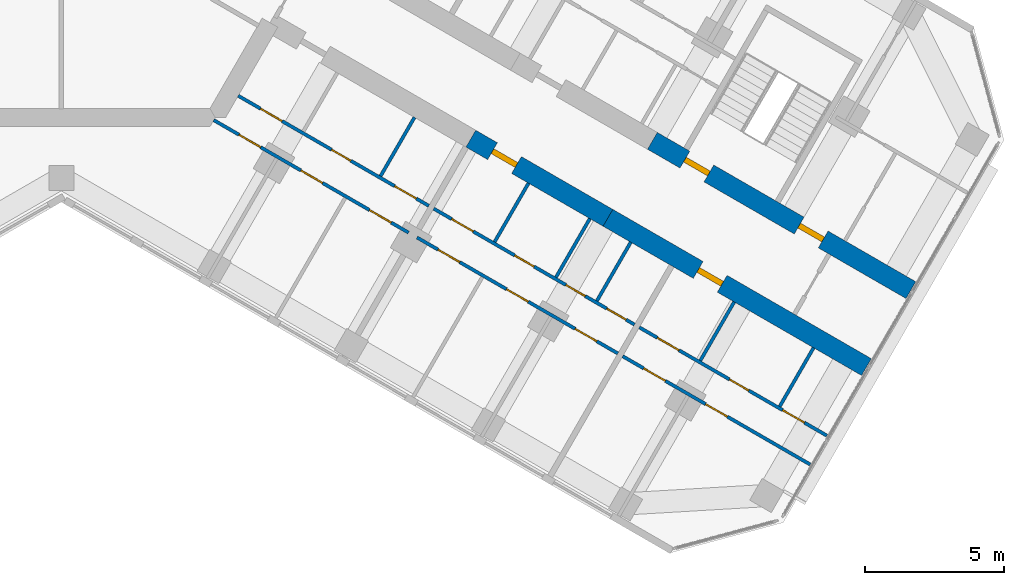
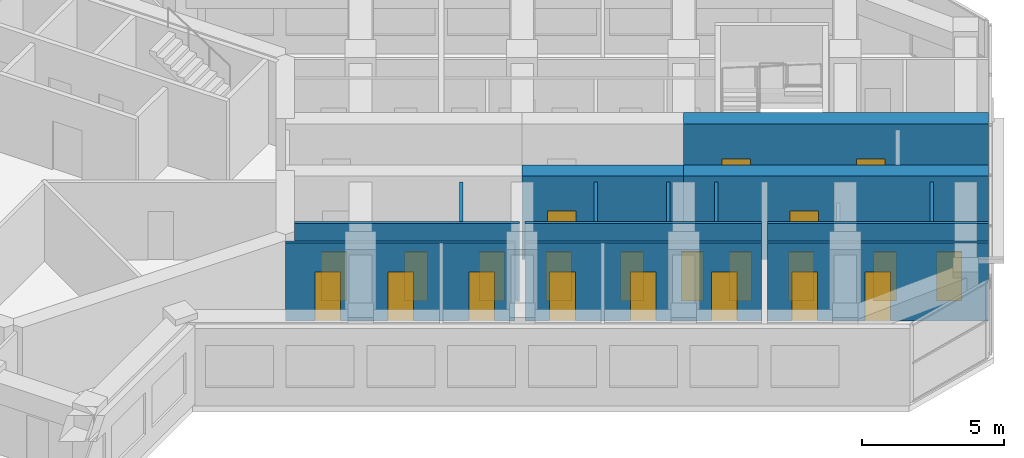
# One storey, part 11 of 16: 22 doors, 15 walls, 22 openings.
"""IFC4 building model written with IfcOpenShell, lengths in metres."""

from ifc_helpers import new_model, si_unit, direction, frame, frame_2d, origin, place, context, subcontext, project, spatial, rectangle, extrude, material, layer, layer_set, type_object, element, fill, save


model = new_model("IFC4")

# Units and contexts
model_context = context("Model", 3, precision=1e-05, world=origin(), true_north=direction((0.0, 1.0)))
body_context = subcontext(model_context, "Body", "Model", "MODEL_VIEW")
ifc_project = project(units=[si_unit("LENGTHUNIT", "METRE"), si_unit("AREAUNIT", "SQUARE_METRE"), si_unit("VOLUMEUNIT", "CUBIC_METRE"), si_unit("PLANEANGLEUNIT", "RADIAN"), si_unit("MASSUNIT", "GRAM", prefix="KILO")], contexts=[model_context])

# Site, building, storey
site_placement = place(None, origin())
site = spatial("IfcSite", under=ifc_project, at=site_placement, CompositionType="ELEMENT")
building_placement = place(site_placement, origin())
building = spatial("IfcBuilding", under=site, at=building_placement, Name="Kosmar Iwan School Tower", CompositionType="ELEMENT")
storey_placement = place(building_placement, frame((0.0, 0.0, 204.60009765625)))
storey = spatial("IfcBuildingStorey", under=building, at=storey_placement, Name="L51", CompositionType="ELEMENT", Elevation=204.60009765625)

# Wall, openings, doors
ifc_material_1 = material(Name="Concrete C50/60", Category="concrete")
ifc_layer_1 = layer(ifc_material_1, 0.699951171875)
ifc_layer_set_1 = layer_set([ifc_layer_1], Name="Corridor buttress wall 700")
wall_type_1 = type_object("IfcWallType", Name="Corridor buttress wall 700", PredefinedType="SHEAR", material=ifc_layer_set_1)
wall_1_placement = place(storey_placement, frame((21.281494140625, -10.439453125, 0.0), z_axis=(0.0, 0.0, 1.0), x_axis=(0.866032345022, -0.499987977232, 0.0)))
wall_1 = element("IfcWall", 1, at=wall_1_placement, inside=storey, type_object=wall_type_1, Name="Corridor wall CL bay 3", PredefinedType="SHEAR", context=body_context, shape_type="SweptSolid", body=[
    extrude(rectangle(XDim=10.744873046875, YDim=0.699951171875, at=frame_2d((5.37255859375, 0.0))), origin(), (0.0, 0.0, 1.0), 3.599853515625),
])
opening_1_placement = place(wall_1_placement, frame((6.10009765625, 0.0, 0.0)))
opening_1 = element("IfcOpeningElement", 2, at=opening_1_placement, cuts=wall_1, Name="Opening D1", PredefinedType="OPENING", context=body_context, shape_type="SweptSolid", body=[
    extrude(rectangle(XDim=1.0, YDim=2.10009765625, at=frame_2d((0.5, 1.050048828125))), frame((0.0, 0.362060546875, 0.0), z_axis=(0.0, -1.0, 0.0), x_axis=(1.0, 0.0, 0.0)), (0.0, 0.0, 1.0), 0.723876953125),
])
opening_2_placement = place(wall_1_placement, frame((1.35009765625, 0.0, 0.0)))
opening_2 = element("IfcOpeningElement", 3, at=opening_2_placement, cuts=wall_1, Name="Opening D6", PredefinedType="OPENING", context=body_context, shape_type="SweptSolid", body=[
    extrude(rectangle(XDim=1.0, YDim=2.10009765625, at=frame_2d((0.5, 1.050048828125))), frame((0.0, 0.362060546875, 0.0), z_axis=(0.0, -1.0, 0.0), x_axis=(1.0, 0.0, 0.0)), (0.0, 0.0, 1.0), 0.723876953125),
])
ifc_material_2 = material(Name="Timber fire door in steel frame", Category="steel")
door_type_1 = type_object("IfcDoorType", Name="Flat entrance door 1000x2100", OperationType="SINGLE_SWING_LEFT", PredefinedType="DOOR", material=ifc_material_2)
door_1_placement = place(opening_1_placement, origin())
door_1 = element("IfcDoor", 4, at=door_1_placement, inside=storey, type_object=door_type_1, Name="Flat L51-CL3 entrance door", OperationType="SINGLE_SWING_RIGHT", OverallHeight=2.10009765625, OverallWidth=1.0, PredefinedType="DOOR", context=body_context, shape_type="SweptSolid", body=[
    extrude(rectangle(XDim=1.0, YDim=2.10009765625, at=frame_2d((0.5, 1.050048828125))), frame((0.0, 0.10009765625, 0.0), z_axis=(0.0, -1.0, 0.0), x_axis=(1.0, 0.0, 0.0)), (0.0, 0.0, 1.0), 0.199951171875),
])
fill(opening_1, door_1)
ifc_material_3 = material(Name="Steel fire door", Category="steel")
door_type_2 = type_object("IfcDoorType", Name="Stair door 1000x2100", OperationType="SINGLE_SWING_LEFT", PredefinedType="DOOR", material=ifc_material_3)
door_2_placement = place(opening_2_placement, origin())
door_2 = element("IfcDoor", 5, at=door_2_placement, inside=storey, type_object=door_type_2, Name="Stair WS3 door L51", OperationType="SINGLE_SWING_LEFT", OverallHeight=2.10009765625, OverallWidth=1.0, PredefinedType="DOOR", context=body_context, shape_type="SweptSolid", body=[
    extrude(rectangle(XDim=1.0, YDim=2.10009765625, at=frame_2d((0.5, 1.050048828125))), frame((0.0, 0.10009765625, 0.0), z_axis=(0.0, -1.0, 0.0), x_axis=(1.0, 0.0, 0.0)), (0.0, 0.0, 1.0), 0.199951171875),
])
fill(opening_2, door_2)

# Wall, opening, door
wall_2_placement = place(storey_placement, frame((14.7451171875, -10.360595703125, 0.0), z_axis=(0.0, 0.0, 1.0), x_axis=(0.866015111908, -0.50001782563, 0.0)))
wall_2 = element("IfcWall", 6, at=wall_2_placement, inside=storey, type_object=wall_type_1, Name="Corridor wall CR bay 2", PredefinedType="SHEAR", context=body_context, shape_type="SweptSolid", body=[
    extrude(rectangle(XDim=5.699951171875, YDim=0.699951171875, at=frame_2d((2.85009765625, 0.0))), origin(), (0.0, 0.0, 1.0), 3.599853515625),
])
opening_3_placement = place(wall_2_placement, frame((0.89990234375, 0.0, 0.0)))
opening_3 = element("IfcOpeningElement", 7, at=opening_3_placement, cuts=wall_2, Name="Opening D1", PredefinedType="OPENING", context=body_context, shape_type="SweptSolid", body=[
    extrude(rectangle(XDim=1.0, YDim=2.10009765625, at=frame_2d((0.5, 1.050048828125))), frame((0.0, 0.362060546875, 0.0), z_axis=(0.0, -1.0, 0.0), x_axis=(1.0, 0.0, 0.0)), (0.0, 0.0, 1.0), 0.723876953125),
])
door_3_placement = place(opening_3_placement, origin())
door_3 = element("IfcDoor", 8, at=door_3_placement, inside=storey, type_object=door_type_1, Name="Flat L51-CR2 entrance door", OperationType="SINGLE_SWING_LEFT", OverallHeight=2.10009765625, OverallWidth=1.0, PredefinedType="DOOR", context=body_context, shape_type="SweptSolid", body=[
    extrude(rectangle(XDim=1.0, YDim=2.10009765625, at=frame_2d((0.5, 1.050048828125))), frame((0.0, 0.10009765625, 0.0), z_axis=(0.0, -1.0, 0.0), x_axis=(1.0, 0.0, 0.0)), (0.0, 0.0, 1.0), 0.199951171875),
])
fill(opening_3, door_3)

wall_3_placement = place(storey_placement, frame((19.681396484375, -13.210693359375, 0.0), z_axis=(0.0, 0.0, 1.0), x_axis=(0.866028186671, -0.499995179869, 0.0)))
wall_3 = element("IfcWall", 9, at=wall_3_placement, inside=storey, type_object=wall_type_1, Name="Corridor wall CR bay 3", PredefinedType="SHEAR", context=body_context, shape_type="SweptSolid", body=[
    extrude(rectangle(XDim=10.7451171875, YDim=0.699951171875, at=frame_2d((5.37255859375, 0.0))), origin(), (0.0, 0.0, 1.0), 3.599853515625),
])
opening_4_placement = place(wall_3_placement, frame((3.75, 0.0, 0.0)))
opening_4 = element("IfcOpeningElement", 10, at=opening_4_placement, cuts=wall_3, Name="Opening D1", PredefinedType="OPENING", context=body_context, shape_type="SweptSolid", body=[
    extrude(rectangle(XDim=1.0, YDim=2.10009765625, at=frame_2d((0.5, 1.050048828125))), frame((0.0, 0.362060546875, 0.0), z_axis=(0.0, -1.0, 0.0), x_axis=(1.0, 0.0, 0.0)), (0.0, 0.0, 1.0), 0.723876953125),
])
door_4_placement = place(opening_4_placement, origin())
door_4 = element("IfcDoor", 11, at=door_4_placement, inside=storey, type_object=door_type_1, Name="Flat L51-CR3 entrance door", OperationType="SINGLE_SWING_RIGHT", OverallHeight=2.10009765625, OverallWidth=1.0, PredefinedType="DOOR", context=body_context, shape_type="SweptSolid", body=[
    extrude(rectangle(XDim=1.0, YDim=2.10009765625, at=frame_2d((0.5, 1.050048828125))), frame((0.0, 0.10009765625, 0.0), z_axis=(0.0, -1.0, 0.0), x_axis=(1.0, 0.0, 0.0)), (0.0, 0.0, 1.0), 0.199951171875),
])
fill(opening_4, door_4)

# Wall, openings, doors
ifc_material_4 = material(Name="Gypsum board on steel studs", Category="steel")
ifc_layer_2 = layer(ifc_material_4, 0.1201171875)
ifc_layer_set_2 = layer_set([ifc_layer_2], Name="Dwelling partition 120")
wall_type_2 = type_object("IfcWallType", Name="Dwelling partition 120", PredefinedType="PARTITIONING", material=ifc_layer_set_2)
wall_4_placement = place(storey_placement, frame((6.370361328125, -8.81640625, 0.0), z_axis=(0.0, 0.0, 1.0), x_axis=(0.866031683564, -0.499989122945, 0.0)))
wall_4 = element("IfcWall", 12, at=wall_4_placement, inside=storey, type_object=wall_type_2, Name="Partition L51-CR1-W1", PredefinedType="PARTITIONING", context=body_context, shape_type="SweptSolid", body=[
    extrude(rectangle(XDim=7.925048828125, YDim=0.1201171875, at=frame_2d((3.96240234375, 0.0))), origin(), (0.0, 0.0, 1.0), 3.349853515625),
])
opening_5_placement = place(wall_4_placement, frame((0.925048828125, 0.0, 0.0)))
opening_5 = element("IfcOpeningElement", 13, at=opening_5_placement, cuts=wall_4, Name="Opening D2", PredefinedType="OPENING", context=body_context, shape_type="SweptSolid", body=[
    extrude(rectangle(XDim=0.89990234375, YDim=2.10009765625, at=frame_2d((0.449951171875, 1.050048828125))), frame((0.0, 0.072021484375, 0.0), z_axis=(0.0, -1.0, 0.0), x_axis=(1.0, 0.0, 0.0)), (0.0, 0.0, 1.0), 0.14404296875),
])
opening_6_placement = place(wall_4_placement, frame((3.880126953125, 0.0, 0.0)))
opening_6 = element("IfcOpeningElement", 14, at=opening_6_placement, cuts=wall_4, Name="Opening D3", PredefinedType="OPENING", context=body_context, shape_type="SweptSolid", body=[
    extrude(rectangle(XDim=0.800048828125, YDim=2.10009765625, at=frame_2d((0.39990234375, 1.050048828125))), frame((0.0, 0.072021484375, 0.0), z_axis=(0.0, -1.0, 0.0), x_axis=(1.0, 0.0, 0.0)), (0.0, 0.0, 1.0), 0.14404296875),
])
opening_7_placement = place(wall_4_placement, frame((6.505126953125, 0.0, 0.0)))
opening_7 = element("IfcOpeningElement", 15, at=opening_7_placement, cuts=wall_4, Name="Opening D2", PredefinedType="OPENING", context=body_context, shape_type="SweptSolid", body=[
    extrude(rectangle(XDim=0.89990234375, YDim=2.10009765625, at=frame_2d((0.449951171875, 1.050048828125))), frame((0.0, 0.072021484375, 0.0), z_axis=(0.0, -1.0, 0.0), x_axis=(1.0, 0.0, 0.0)), (0.0, 0.0, 1.0), 0.14404296875),
])
ifc_material_5 = material(Name="Timber door in timber frame", Category="wood")
door_type_3 = type_object("IfcDoorType", Name="Internal door 900x2100", OperationType="SINGLE_SWING_LEFT", PredefinedType="DOOR", material=ifc_material_5)
door_5_placement = place(opening_5_placement, origin())
door_5 = element("IfcDoor", 16, at=door_5_placement, inside=storey, type_object=door_type_3, Name="Entrance hall door L51-CR1-S1", OperationType="SINGLE_SWING_RIGHT", OverallHeight=2.10009765625, OverallWidth=0.89990234375, PredefinedType="DOOR", context=body_context, shape_type="SweptSolid", body=[
    extrude(rectangle(XDim=0.89990234375, YDim=2.10009765625, at=frame_2d((0.449951171875, 1.050048828125))), frame((0.0, 0.02490234375, 0.0), z_axis=(0.0, -1.0, 0.0), x_axis=(1.0, 0.0, 0.0)), (0.0, 0.0, 1.0), 0.050048828125),
])
fill(opening_5, door_5)
door_6_placement = place(opening_7_placement, origin())
door_6 = element("IfcDoor", 17, at=door_6_placement, inside=storey, type_object=door_type_3, Name="Pantry door L51-CR1-S3", OperationType="SINGLE_SWING_RIGHT", OverallHeight=2.10009765625, OverallWidth=0.89990234375, PredefinedType="DOOR", context=body_context, shape_type="SweptSolid", body=[
    extrude(rectangle(XDim=0.89990234375, YDim=2.10009765625, at=frame_2d((0.449951171875, 1.050048828125))), frame((0.0, 0.02490234375, 0.0), z_axis=(0.0, -1.0, 0.0), x_axis=(1.0, 0.0, 0.0)), (0.0, 0.0, 1.0), 0.050048828125),
])
fill(opening_7, door_6)
ifc_material_6 = material(Name="Timber door in timber frame", Category="wood")
door_type_4 = type_object("IfcDoorType", Name="Sanitary room door 800x2100", OperationType="SINGLE_SWING_LEFT", PredefinedType="DOOR", material=ifc_material_6)
door_7_placement = place(opening_6_placement, origin())
door_7 = element("IfcDoor", 18, at=door_7_placement, inside=storey, type_object=door_type_4, Name="Bathroom door L51-CR1-S2", OperationType="SINGLE_SWING_LEFT", OverallHeight=2.10009765625, OverallWidth=0.800048828125, PredefinedType="DOOR", context=body_context, shape_type="SweptSolid", body=[
    extrude(rectangle(XDim=0.800048828125, YDim=2.10009765625, at=frame_2d((0.39990234375, 1.050048828125))), frame((0.0, 0.02490234375, 0.0), z_axis=(0.0, -1.0, 0.0), x_axis=(1.0, 0.0, 0.0)), (0.0, 0.0, 1.0), 0.050048828125),
])
fill(opening_6, door_7)

wall_5_placement = place(storey_placement, frame((5.48876953125, -9.693115234375, 0.0), z_axis=(0.0, 0.0, 1.0), x_axis=(0.866025472755, -0.499999880539, 0.0)))
wall_5 = element("IfcWall", 19, at=wall_5_placement, inside=storey, type_object=wall_type_2, Name="Partition L51-CR1-W2", PredefinedType="PARTITIONING", context=body_context, shape_type="SweptSolid", body=[
    extrude(rectangle(XDim=8.10009765625, YDim=0.1201171875, at=frame_2d((4.050048828125, 0.0))), origin(), (0.0, 0.0, 1.0), 3.349853515625),
])
opening_8_placement = place(wall_5_placement, frame((1.050048828125, 0.0, 0.0)))
opening_8 = element("IfcOpeningElement", 20, at=opening_8_placement, cuts=wall_5, Name="Opening D2", PredefinedType="OPENING", context=body_context, shape_type="SweptSolid", body=[
    extrude(rectangle(XDim=0.89990234375, YDim=2.10009765625, at=frame_2d((0.449951171875, 1.050048828125))), frame((0.0, 0.072021484375, 0.0), z_axis=(0.0, -1.0, 0.0), x_axis=(1.0, 0.0, 0.0)), (0.0, 0.0, 1.0), 0.14404296875),
])
opening_9_placement = place(wall_5_placement, frame((3.625, 0.0, 0.0)))
opening_9 = element("IfcOpeningElement", 21, at=opening_9_placement, cuts=wall_5, Name="Opening D2", PredefinedType="OPENING", context=body_context, shape_type="SweptSolid", body=[
    extrude(rectangle(XDim=0.89990234375, YDim=2.10009765625, at=frame_2d((0.449951171875, 1.050048828125))), frame((0.0, 0.072021484375, 0.0), z_axis=(0.0, -1.0, 0.0), x_axis=(1.0, 0.0, 0.0)), (0.0, 0.0, 1.0), 0.14404296875),
])
opening_10_placement = place(wall_5_placement, frame((6.47509765625, 0.0, 0.0)))
opening_10 = element("IfcOpeningElement", 22, at=opening_10_placement, cuts=wall_5, Name="Opening D2", PredefinedType="OPENING", context=body_context, shape_type="SweptSolid", body=[
    extrude(rectangle(XDim=0.89990234375, YDim=2.10009765625, at=frame_2d((0.449951171875, 1.050048828125))), frame((0.0, 0.072021484375, 0.0), z_axis=(0.0, -1.0, 0.0), x_axis=(1.0, 0.0, 0.0)), (0.0, 0.0, 1.0), 0.14404296875),
])
door_8_placement = place(opening_8_placement, origin())
door_8 = element("IfcDoor", 23, at=door_8_placement, inside=storey, type_object=door_type_3, Name="Living room and kitchen door L51-CR1-F1", OperationType="SINGLE_SWING_LEFT", OverallHeight=2.10009765625, OverallWidth=0.89990234375, PredefinedType="DOOR", context=body_context, shape_type="SweptSolid", body=[
    extrude(rectangle(XDim=0.89990234375, YDim=2.10009765625, at=frame_2d((0.449951171875, 1.050048828125))), frame((0.0, 0.02490234375, 0.0), z_axis=(0.0, -1.0, 0.0), x_axis=(1.0, 0.0, 0.0)), (0.0, 0.0, 1.0), 0.050048828125),
])
fill(opening_8, door_8)
door_9_placement = place(opening_9_placement, origin())
door_9 = element("IfcDoor", 24, at=door_9_placement, inside=storey, type_object=door_type_3, Name="Study door L51-CR1-F2", OperationType="SINGLE_SWING_LEFT", OverallHeight=2.10009765625, OverallWidth=0.89990234375, PredefinedType="DOOR", context=body_context, shape_type="SweptSolid", body=[
    extrude(rectangle(XDim=0.89990234375, YDim=2.10009765625, at=frame_2d((0.449951171875, 1.050048828125))), frame((0.0, 0.02490234375, 0.0), z_axis=(0.0, -1.0, 0.0), x_axis=(1.0, 0.0, 0.0)), (0.0, 0.0, 1.0), 0.050048828125),
])
fill(opening_9, door_9)
door_10_placement = place(opening_10_placement, origin())
door_10 = element("IfcDoor", 25, at=door_10_placement, inside=storey, type_object=door_type_3, Name="Bedroom 1 door L51-CR1-F3", OperationType="SINGLE_SWING_RIGHT", OverallHeight=2.10009765625, OverallWidth=0.89990234375, PredefinedType="DOOR", context=body_context, shape_type="SweptSolid", body=[
    extrude(rectangle(XDim=0.89990234375, YDim=2.10009765625, at=frame_2d((0.449951171875, 1.050048828125))), frame((0.0, 0.02490234375, 0.0), z_axis=(0.0, -1.0, 0.0), x_axis=(1.0, 0.0, 0.0)), (0.0, 0.0, 1.0), 0.050048828125),
])
fill(opening_10, door_10)

# Wall
wall_6_placement = place(storey_placement, frame((12.716796875, -9.59375, 0.0), z_axis=(0.0, 0.0, 1.0), x_axis=(-0.500002508028, -0.866023955769, 0.0)))
element("IfcWall", 26, at=wall_6_placement, inside=storey, type_object=wall_type_2, Name="Partition L51-CR1-Y2", PredefinedType="PARTITIONING", context=body_context, shape_type="SweptSolid", body=[
    extrude(rectangle(XDim=2.43994140625, YDim=0.1201171875, at=frame_2d((1.219970703125, 0.0))), origin(), (0.0, 0.0, 1.0), 3.349853515625),
])

# Wall, openings, doors
wall_7_placement = place(storey_placement, frame((13.40673828125, -12.87890625, 0.0), z_axis=(0.0, 0.0, 1.0), x_axis=(0.866039519639, -0.499975549825, 0.0)))
wall_7 = element("IfcWall", 27, at=wall_7_placement, inside=storey, type_object=wall_type_2, Name="Partition L51-CR2-W1", PredefinedType="PARTITIONING", context=body_context, shape_type="SweptSolid", body=[
    extrude(rectangle(XDim=8.35009765625, YDim=0.1201171875, at=frame_2d((4.175048828125, 0.0))), origin(), (0.0, 0.0, 1.0), 3.349853515625),
])
opening_11_placement = place(wall_7_placement, frame((0.75, 0.0, 0.0)))
opening_11 = element("IfcOpeningElement", 28, at=opening_11_placement, cuts=wall_7, Name="Opening D2", PredefinedType="OPENING", context=body_context, shape_type="SweptSolid", body=[
    extrude(rectangle(XDim=0.89990234375, YDim=2.10009765625, at=frame_2d((0.449951171875, 1.050048828125))), frame((0.0, 0.072021484375, 0.0), z_axis=(0.0, -1.0, 0.0), x_axis=(1.0, 0.0, 0.0)), (0.0, 0.0, 1.0), 0.14404296875),
])
opening_12_placement = place(wall_7_placement, frame((3.375, 0.0, 0.0)))
opening_12 = element("IfcOpeningElement", 29, at=opening_12_placement, cuts=wall_7, Name="Opening D3", PredefinedType="OPENING", context=body_context, shape_type="SweptSolid", body=[
    extrude(rectangle(XDim=0.800048828125, YDim=2.10009765625, at=frame_2d((0.39990234375, 1.050048828125))), frame((0.0, 0.072021484375, 0.0), z_axis=(0.0, -1.0, 0.0), x_axis=(1.0, 0.0, 0.0)), (0.0, 0.0, 1.0), 0.14404296875),
])
opening_13_placement = place(wall_7_placement, frame((5.5, 0.0, 0.0)))
opening_13 = element("IfcOpeningElement", 30, at=opening_13_placement, cuts=wall_7, Name="Opening D3", PredefinedType="OPENING", context=body_context, shape_type="SweptSolid", body=[
    extrude(rectangle(XDim=0.800048828125, YDim=2.10009765625, at=frame_2d((0.39990234375, 1.050048828125))), frame((0.0, 0.072021484375, 0.0), z_axis=(0.0, -1.0, 0.0), x_axis=(1.0, 0.0, 0.0)), (0.0, 0.0, 1.0), 0.14404296875),
])
opening_14_placement = place(wall_7_placement, frame((7.199951171875, 0.0, 0.0)))
opening_14 = element("IfcOpeningElement", 31, at=opening_14_placement, cuts=wall_7, Name="Opening D3", PredefinedType="OPENING", context=body_context, shape_type="SweptSolid", body=[
    extrude(rectangle(XDim=0.800048828125, YDim=2.10009765625, at=frame_2d((0.39990234375, 1.050048828125))), frame((0.0, 0.072021484375, 0.0), z_axis=(0.0, -1.0, 0.0), x_axis=(1.0, 0.0, 0.0)), (0.0, 0.0, 1.0), 0.14404296875),
])
door_11_placement = place(opening_11_placement, origin())
door_11 = element("IfcDoor", 32, at=door_11_placement, inside=storey, type_object=door_type_3, Name="Entrance hall door L51-CR2-S1", OperationType="SINGLE_SWING_RIGHT", OverallHeight=2.10009765625, OverallWidth=0.89990234375, PredefinedType="DOOR", context=body_context, shape_type="SweptSolid", body=[
    extrude(rectangle(XDim=0.89990234375, YDim=2.10009765625, at=frame_2d((0.449951171875, 1.050048828125))), frame((0.0, 0.02490234375, 0.0), z_axis=(0.0, -1.0, 0.0), x_axis=(1.0, 0.0, 0.0)), (0.0, 0.0, 1.0), 0.050048828125),
])
fill(opening_11, door_11)
door_12_placement = place(opening_12_placement, origin())
door_12 = element("IfcDoor", 33, at=door_12_placement, inside=storey, type_object=door_type_4, Name="Bathroom door L51-CR2-S2", OperationType="SINGLE_SWING_LEFT", OverallHeight=2.10009765625, OverallWidth=0.800048828125, PredefinedType="DOOR", context=body_context, shape_type="SweptSolid", body=[
    extrude(rectangle(XDim=0.800048828125, YDim=2.10009765625, at=frame_2d((0.39990234375, 1.050048828125))), frame((0.0, 0.02490234375, 0.0), z_axis=(0.0, -1.0, 0.0), x_axis=(1.0, 0.0, 0.0)), (0.0, 0.0, 1.0), 0.050048828125),
])
fill(opening_12, door_12)
door_13_placement = place(opening_13_placement, origin())
door_13 = element("IfcDoor", 34, at=door_13_placement, inside=storey, type_object=door_type_4, Name="Grandparents' shower room door L51-CR2-S3", OperationType="SINGLE_SWING_RIGHT", OverallHeight=2.10009765625, OverallWidth=0.800048828125, PredefinedType="DOOR", context=body_context, shape_type="SweptSolid", body=[
    extrude(rectangle(XDim=0.800048828125, YDim=2.10009765625, at=frame_2d((0.39990234375, 1.050048828125))), frame((0.0, 0.02490234375, 0.0), z_axis=(0.0, -1.0, 0.0), x_axis=(1.0, 0.0, 0.0)), (0.0, 0.0, 1.0), 0.050048828125),
])
fill(opening_13, door_13)
door_14_placement = place(opening_14_placement, origin())
door_14 = element("IfcDoor", 35, at=door_14_placement, inside=storey, type_object=door_type_4, Name="Shower room door L51-CR2-S4", OperationType="SINGLE_SWING_RIGHT", OverallHeight=2.10009765625, OverallWidth=0.800048828125, PredefinedType="DOOR", context=body_context, shape_type="SweptSolid", body=[
    extrude(rectangle(XDim=0.800048828125, YDim=2.10009765625, at=frame_2d((0.39990234375, 1.050048828125))), frame((0.0, 0.02490234375, 0.0), z_axis=(0.0, -1.0, 0.0), x_axis=(1.0, 0.0, 0.0)), (0.0, 0.0, 1.0), 0.050048828125),
])
fill(opening_14, door_14)

wall_8_placement = place(storey_placement, frame((12.806640625, -13.91796875, 0.0), z_axis=(0.0, 0.0, 1.0), x_axis=(0.866026859388, -0.499997478812, 0.0)))
wall_8 = element("IfcWall", 36, at=wall_8_placement, inside=storey, type_object=wall_type_2, Name="Partition L51-CR2-W2", PredefinedType="PARTITIONING", context=body_context, shape_type="SweptSolid", body=[
    extrude(rectangle(XDim=8.35009765625, YDim=0.1201171875, at=frame_2d((4.175048828125, 0.0))), origin(), (0.0, 0.0, 1.0), 3.349853515625),
])
opening_15_placement = place(wall_8_placement, frame((0.875, 0.0, 0.0)))
opening_15 = element("IfcOpeningElement", 37, at=opening_15_placement, cuts=wall_8, Name="Opening D2", PredefinedType="OPENING", context=body_context, shape_type="SweptSolid", body=[
    extrude(rectangle(XDim=0.89990234375, YDim=2.10009765625, at=frame_2d((0.449951171875, 1.050048828125))), frame((0.0, 0.072021484375, 0.0), z_axis=(0.0, -1.0, 0.0), x_axis=(1.0, 0.0, 0.0)), (0.0, 0.0, 1.0), 0.14404296875),
])
opening_16_placement = place(wall_8_placement, frame((3.72509765625, 0.0, 0.0)))
opening_16 = element("IfcOpeningElement", 38, at=opening_16_placement, cuts=wall_8, Name="Opening D2", PredefinedType="OPENING", context=body_context, shape_type="SweptSolid", body=[
    extrude(rectangle(XDim=0.89990234375, YDim=2.10009765625, at=frame_2d((0.449951171875, 1.050048828125))), frame((0.0, 0.072021484375, 0.0), z_axis=(0.0, -1.0, 0.0), x_axis=(1.0, 0.0, 0.0)), (0.0, 0.0, 1.0), 0.14404296875),
])
opening_17_placement = place(wall_8_placement, frame((6.574951171875, 0.0, 0.0)))
opening_17 = element("IfcOpeningElement", 39, at=opening_17_placement, cuts=wall_8, Name="Opening D2", PredefinedType="OPENING", context=body_context, shape_type="SweptSolid", body=[
    extrude(rectangle(XDim=0.89990234375, YDim=2.10009765625, at=frame_2d((0.449951171875, 1.050048828125))), frame((0.0, 0.072021484375, 0.0), z_axis=(0.0, -1.0, 0.0), x_axis=(1.0, 0.0, 0.0)), (0.0, 0.0, 1.0), 0.14404296875),
])
door_15_placement = place(opening_15_placement, origin())
door_15 = element("IfcDoor", 40, at=door_15_placement, inside=storey, type_object=door_type_3, Name="Grandparents' suite door L51-CR2-F1", OperationType="SINGLE_SWING_LEFT", OverallHeight=2.10009765625, OverallWidth=0.89990234375, PredefinedType="DOOR", context=body_context, shape_type="SweptSolid", body=[
    extrude(rectangle(XDim=0.89990234375, YDim=2.10009765625, at=frame_2d((0.449951171875, 1.050048828125))), frame((0.0, 0.02490234375, 0.0), z_axis=(0.0, -1.0, 0.0), x_axis=(1.0, 0.0, 0.0)), (0.0, 0.0, 1.0), 0.050048828125),
])
fill(opening_15, door_15)
door_16_placement = place(opening_16_placement, origin())
door_16 = element("IfcDoor", 41, at=door_16_placement, inside=storey, type_object=door_type_3, Name="Living room and kitchen door L51-CR2-F2", OperationType="SINGLE_SWING_RIGHT", OverallHeight=2.10009765625, OverallWidth=0.89990234375, PredefinedType="DOOR", context=body_context, shape_type="SweptSolid", body=[
    extrude(rectangle(XDim=0.89990234375, YDim=2.10009765625, at=frame_2d((0.449951171875, 1.050048828125))), frame((0.0, 0.02490234375, 0.0), z_axis=(0.0, -1.0, 0.0), x_axis=(1.0, 0.0, 0.0)), (0.0, 0.0, 1.0), 0.050048828125),
])
fill(opening_16, door_16)
door_17_placement = place(opening_17_placement, origin())
door_17 = element("IfcDoor", 42, at=door_17_placement, inside=storey, type_object=door_type_3, Name="Bedroom 1 door L51-CR2-F3", OperationType="SINGLE_SWING_RIGHT", OverallHeight=2.10009765625, OverallWidth=0.89990234375, PredefinedType="DOOR", context=body_context, shape_type="SweptSolid", body=[
    extrude(rectangle(XDim=0.89990234375, YDim=2.10009765625, at=frame_2d((0.449951171875, 1.050048828125))), frame((0.0, 0.02490234375, 0.0), z_axis=(0.0, -1.0, 0.0), x_axis=(1.0, 0.0, 0.0)), (0.0, 0.0, 1.0), 0.050048828125),
])
fill(opening_17, door_17)

# Walls
wall_9_placement = place(storey_placement, frame((16.82177734375, -11.963623046875, 0.0), z_axis=(0.0, 0.0, 1.0), x_axis=(-0.499959183527, -0.866048967903, 0.0)))
element("IfcWall", 43, at=wall_9_placement, inside=storey, type_object=wall_type_2, Name="Partition L51-CR2-Y1", PredefinedType="PARTITIONING", context=body_context, shape_type="SweptSolid", body=[
    extrude(rectangle(XDim=2.440185546875, YDim=0.1201171875, at=frame_2d((1.22021484375, 0.0))), origin(), (0.0, 0.0, 1.0), 3.349853515625),
])
wall_10_placement = place(storey_placement, frame((19.0302734375, -13.23876953125, 0.0), z_axis=(0.0, 0.0, 1.0), x_axis=(-0.500002508028, -0.866023955769, 0.0)))
element("IfcWall", 44, at=wall_10_placement, inside=storey, type_object=wall_type_2, Name="Partition L51-CR2-Y2", PredefinedType="PARTITIONING", context=body_context, shape_type="SweptSolid", body=[
    extrude(rectangle(XDim=2.43994140625, YDim=0.1201171875, at=frame_2d((1.219970703125, 0.0))), origin(), (0.0, 0.0, 1.0), 3.349853515625),
])
wall_11_placement = place(storey_placement, frame((20.50244140625, -14.088623046875, 0.0), z_axis=(0.0, 0.0, 1.0), x_axis=(-0.499959183527, -0.866048967903, 0.0)))
element("IfcWall", 45, at=wall_11_placement, inside=storey, type_object=wall_type_2, Name="Partition L51-CR2-Y3", PredefinedType="PARTITIONING", context=body_context, shape_type="SweptSolid", body=[
    extrude(rectangle(XDim=2.440185546875, YDim=0.1201171875, at=frame_2d((1.22021484375, 0.0))), origin(), (0.0, 0.0, 1.0), 3.349853515625),
])

# Wall, openings, doors
wall_12_placement = place(storey_placement, frame((20.811279296875, -17.15380859375, 0.0), z_axis=(0.0, 0.0, 1.0), x_axis=(0.866029639064, -0.499992664208, 0.0)))
wall_12 = element("IfcWall", 46, at=wall_12_placement, inside=storey, type_object=wall_type_2, Name="Partition L51-CR3-W1", PredefinedType="PARTITIONING", context=body_context, shape_type="SweptSolid", body=[
    extrude(rectangle(XDim=7.794921875, YDim=0.1201171875, at=frame_2d((3.8974609375, 0.0))), origin(), (0.0, 0.0, 1.0), 3.349853515625),
])
opening_18_placement = place(wall_12_placement, frame((0.75, 0.0, 0.0)))
opening_18 = element("IfcOpeningElement", 47, at=opening_18_placement, cuts=wall_12, Name="Opening D2", PredefinedType="OPENING", context=body_context, shape_type="SweptSolid", body=[
    extrude(rectangle(XDim=0.89990234375, YDim=2.10009765625, at=frame_2d((0.449951171875, 1.050048828125))), frame((0.0, 0.072021484375, 0.0), z_axis=(0.0, -1.0, 0.0), x_axis=(1.0, 0.0, 0.0)), (0.0, 0.0, 1.0), 0.14404296875),
])
opening_19_placement = place(wall_12_placement, frame((3.75, 0.0, 0.0)))
opening_19 = element("IfcOpeningElement", 48, at=opening_19_placement, cuts=wall_12, Name="Opening D3", PredefinedType="OPENING", context=body_context, shape_type="SweptSolid", body=[
    extrude(rectangle(XDim=0.800048828125, YDim=2.10009765625, at=frame_2d((0.39990234375, 1.050048828125))), frame((0.0, 0.072021484375, 0.0), z_axis=(0.0, -1.0, 0.0), x_axis=(1.0, 0.0, 0.0)), (0.0, 0.0, 1.0), 0.14404296875),
])
opening_20_placement = place(wall_12_placement, frame((5.9599609375, 0.0, 0.0)))
opening_20 = element("IfcOpeningElement", 49, at=opening_20_placement, cuts=wall_12, Name="Opening D2", PredefinedType="OPENING", context=body_context, shape_type="SweptSolid", body=[
    extrude(rectangle(XDim=0.89990234375, YDim=2.10009765625, at=frame_2d((0.449951171875, 1.050048828125))), frame((0.0, 0.072021484375, 0.0), z_axis=(0.0, -1.0, 0.0), x_axis=(1.0, 0.0, 0.0)), (0.0, 0.0, 1.0), 0.14404296875),
])
door_18_placement = place(opening_18_placement, origin())
door_18 = element("IfcDoor", 50, at=door_18_placement, inside=storey, type_object=door_type_3, Name="Entrance hall door L51-CR3-S1", OperationType="SINGLE_SWING_LEFT", OverallHeight=2.10009765625, OverallWidth=0.89990234375, PredefinedType="DOOR", context=body_context, shape_type="SweptSolid", body=[
    extrude(rectangle(XDim=0.89990234375, YDim=2.10009765625, at=frame_2d((0.449951171875, 1.050048828125))), frame((0.0, 0.02490234375, 0.0), z_axis=(0.0, -1.0, 0.0), x_axis=(1.0, 0.0, 0.0)), (0.0, 0.0, 1.0), 0.050048828125),
])
fill(opening_18, door_18)
door_19_placement = place(opening_20_placement, origin())
door_19 = element("IfcDoor", 51, at=door_19_placement, inside=storey, type_object=door_type_3, Name="Pantry door L51-CR3-S3", OperationType="SINGLE_SWING_LEFT", OverallHeight=2.10009765625, OverallWidth=0.89990234375, PredefinedType="DOOR", context=body_context, shape_type="SweptSolid", body=[
    extrude(rectangle(XDim=0.89990234375, YDim=2.10009765625, at=frame_2d((0.449951171875, 1.050048828125))), frame((0.0, 0.02490234375, 0.0), z_axis=(0.0, -1.0, 0.0), x_axis=(1.0, 0.0, 0.0)), (0.0, 0.0, 1.0), 0.050048828125),
])
fill(opening_20, door_19)
door_20_placement = place(opening_19_placement, origin())
door_20 = element("IfcDoor", 52, at=door_20_placement, inside=storey, type_object=door_type_4, Name="Bathroom door L51-CR3-S2", OperationType="SINGLE_SWING_RIGHT", OverallHeight=2.10009765625, OverallWidth=0.800048828125, PredefinedType="DOOR", context=body_context, shape_type="SweptSolid", body=[
    extrude(rectangle(XDim=0.800048828125, YDim=2.10009765625, at=frame_2d((0.39990234375, 1.050048828125))), frame((0.0, 0.02490234375, 0.0), z_axis=(0.0, -1.0, 0.0), x_axis=(1.0, 0.0, 0.0)), (0.0, 0.0, 1.0), 0.050048828125),
])
fill(opening_19, door_20)

wall_13_placement = place(storey_placement, frame((20.211181640625, -18.193115234375, 0.0), z_axis=(0.0, 0.0, 1.0), x_axis=(0.866029639064, -0.499992664208, 0.0)))
wall_13 = element("IfcWall", 53, at=wall_13_placement, inside=storey, type_object=wall_type_2, Name="Partition L51-CR3-W2", PredefinedType="PARTITIONING", context=body_context, shape_type="SweptSolid", body=[
    extrude(rectangle(XDim=7.794921875, YDim=0.1201171875, at=frame_2d((3.8974609375, 0.0))), origin(), (0.0, 0.0, 1.0), 3.349853515625),
])
opening_21_placement = place(wall_13_placement, frame((0.875, 0.0, 0.0)))
opening_21 = element("IfcOpeningElement", 54, at=opening_21_placement, cuts=wall_13, Name="Opening D2", PredefinedType="OPENING", context=body_context, shape_type="SweptSolid", body=[
    extrude(rectangle(XDim=0.89990234375, YDim=2.10009765625, at=frame_2d((0.449951171875, 1.050048828125))), frame((0.0, 0.072021484375, 0.0), z_axis=(0.0, -1.0, 0.0), x_axis=(1.0, 0.0, 0.0)), (0.0, 0.0, 1.0), 0.14404296875),
])
opening_22_placement = place(wall_13_placement, frame((3.449951171875, 0.0, 0.0)))
opening_22 = element("IfcOpeningElement", 55, at=opening_22_placement, cuts=wall_13, Name="Opening D2", PredefinedType="OPENING", context=body_context, shape_type="SweptSolid", body=[
    extrude(rectangle(XDim=0.89990234375, YDim=2.10009765625, at=frame_2d((0.449951171875, 1.050048828125))), frame((0.0, 0.072021484375, 0.0), z_axis=(0.0, -1.0, 0.0), x_axis=(1.0, 0.0, 0.0)), (0.0, 0.0, 1.0), 0.14404296875),
])
door_21_placement = place(opening_21_placement, origin())
door_21 = element("IfcDoor", 56, at=door_21_placement, inside=storey, type_object=door_type_3, Name="Bedroom 1 door L51-CR3-F1", OperationType="SINGLE_SWING_LEFT", OverallHeight=2.10009765625, OverallWidth=0.89990234375, PredefinedType="DOOR", context=body_context, shape_type="SweptSolid", body=[
    extrude(rectangle(XDim=0.89990234375, YDim=2.10009765625, at=frame_2d((0.449951171875, 1.050048828125))), frame((0.0, 0.02490234375, 0.0), z_axis=(0.0, -1.0, 0.0), x_axis=(1.0, 0.0, 0.0)), (0.0, 0.0, 1.0), 0.050048828125),
])
fill(opening_21, door_21)
door_22_placement = place(opening_22_placement, origin())
door_22 = element("IfcDoor", 57, at=door_22_placement, inside=storey, type_object=door_type_3, Name="Living room and kitchen door L51-CR3-F2", OperationType="SINGLE_SWING_RIGHT", OverallHeight=2.10009765625, OverallWidth=0.89990234375, PredefinedType="DOOR", context=body_context, shape_type="SweptSolid", body=[
    extrude(rectangle(XDim=0.89990234375, YDim=2.10009765625, at=frame_2d((0.449951171875, 1.050048828125))), frame((0.0, 0.02490234375, 0.0), z_axis=(0.0, -1.0, 0.0), x_axis=(1.0, 0.0, 0.0)), (0.0, 0.0, 1.0), 0.050048828125),
])
fill(opening_22, door_22)

# Walls
wall_14_placement = place(storey_placement, frame((24.226318359375, -16.23876953125, 0.0), z_axis=(0.0, 0.0, 1.0), x_axis=(-0.500002508028, -0.866023955769, 0.0)))
element("IfcWall", 58, at=wall_14_placement, inside=storey, type_object=wall_type_2, Name="Partition L51-CR3-Y1", PredefinedType="PARTITIONING", context=body_context, shape_type="SweptSolid", body=[
    extrude(rectangle(XDim=2.43994140625, YDim=0.1201171875, at=frame_2d((1.219970703125, 0.0))), origin(), (0.0, 0.0, 1.0), 2.449951171875),
])
wall_15_placement = place(storey_placement, frame((27.084228515625, -17.888671875, 0.0), z_axis=(0.0, 0.0, 1.0), x_axis=(-0.499959183527, -0.866048967903, 0.0)))
element("IfcWall", 59, at=wall_15_placement, inside=storey, type_object=wall_type_2, Name="Partition L51-CR3-Y2", PredefinedType="PARTITIONING", context=body_context, shape_type="SweptSolid", body=[
    extrude(rectangle(XDim=2.440185546875, YDim=0.1201171875, at=frame_2d((1.22021484375, 0.0))), origin(), (0.0, 0.0, 1.0), 3.349853515625),
])

save(model, "model.ifc")
